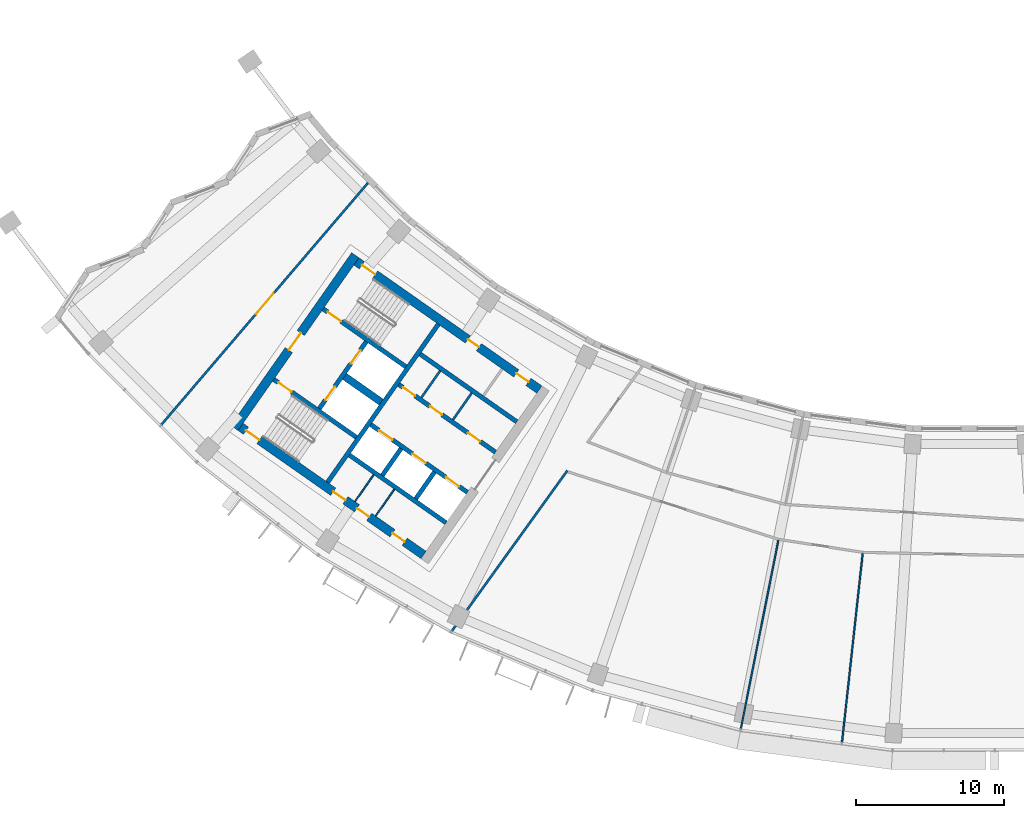
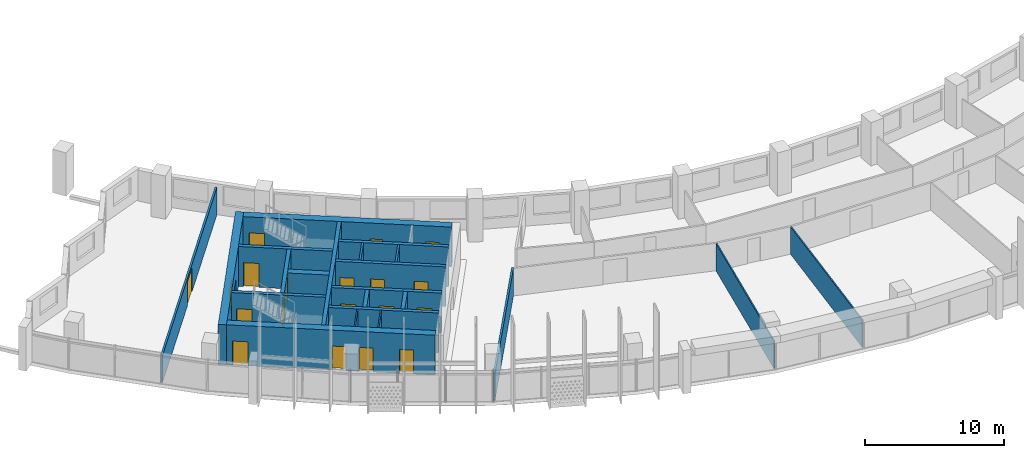
# One storey, part 3 of 27: 22 walls, 19 doors, 19 openings.
"""IFC4 building model written with IfcOpenShell, lengths in metres."""

from ifc_helpers import new_model, si_unit, direction, frame, frame_2d, origin, place, context, subcontext, project, spatial, rectangle, extrude, material, layer, layer_set, type_object, element, fill, save


model = new_model("IFC4")

# Units and contexts
model_context = context("Model", 3, precision=1e-05, world=origin(), true_north=direction((0.0, 1.0)))
body_context = subcontext(model_context, "Body", "Model", "MODEL_VIEW")
ifc_project = project(units=[si_unit("LENGTHUNIT", "METRE"), si_unit("AREAUNIT", "SQUARE_METRE"), si_unit("VOLUMEUNIT", "CUBIC_METRE"), si_unit("PLANEANGLEUNIT", "RADIAN"), si_unit("MASSUNIT", "GRAM", prefix="KILO")], contexts=[model_context])

# Site, building, storey
site_placement = place(None, origin())
site = spatial("IfcSite", under=ifc_project, at=site_placement, CompositionType="ELEMENT")
building_placement = place(site_placement, origin())
building = spatial("IfcBuilding", under=site, at=building_placement, Name="Qamariyya Broadcast Tower", CompositionType="ELEMENT")
storey_placement = place(building_placement, frame((0.0, 0.0, 187.300048828125)))
storey = spatial("IfcBuildingStorey", under=building, at=storey_placement, Name="L44", CompositionType="ELEMENT", Elevation=187.300048828125)

# Wall, opening, door
ifc_material_1 = material(Name="Concrete C60/75", Category="concrete")
ifc_layer_1 = layer(ifc_material_1, 0.60009765625)
ifc_layer_set_1 = layer_set([ifc_layer_1], Name="Core wall 600 mm Concrete C60/75")
wall_type_1 = type_object("IfcWallType", Name="Core wall 600 mm Concrete C60/75", PredefinedType="SHEAR", material=ifc_layer_set_1)
wall_1_placement = place(storey_placement, frame((-49.4833984375, -57.031494140625, 0.0), z_axis=(0.0, 0.0, 1.0), x_axis=(0.573560421458, 0.819163257805, 0.0)))
wall_1 = element("IfcWall", 1, at=wall_1_placement, inside=storey, type_object=wall_type_1, Name="k-W-L44-WH", PredefinedType="SHEAR", context=body_context, shape_type="SweptSolid", body=[
    extrude(rectangle(XDim=14.199951171875, YDim=0.60009765625, at=frame_2d((7.10009765625, 0.0))), origin(), (0.0, 0.0, 1.0), 3.5),
])
opening_1_placement = place(wall_1_placement, frame((6.39990234375, 0.0, 0.0)))
opening_1 = element("IfcOpeningElement", 2, at=opening_1_placement, cuts=wall_1, Name="Opening KD2-W1", PredefinedType="OPENING", context=body_context, shape_type="SweptSolid", body=[
    extrude(rectangle(XDim=1.39990234375, YDim=2.10009765625, at=frame_2d((0.699951171875, 1.050048828125))), frame((0.0, 0.31005859375, 0.0), z_axis=(0.0, -1.0, 0.0), x_axis=(1.0, 0.0, 0.0)), (0.0, 0.0, 1.0), 0.6201171875),
])
ifc_material_2 = material(Name="Steel fire-resisting door leaf", Category="steel")
door_type_1 = type_object("IfcDoorType", Name="Fire-fighting lobby door KD2", OperationType="DOUBLE_DOOR_SINGLE_SWING", PredefinedType="DOOR", material=ifc_material_2)
door_1_placement = place(opening_1_placement, origin())
door_1 = element("IfcDoor", 3, at=door_1_placement, inside=storey, type_object=door_type_1, Name="k-W-L44-WH-D15", OperationType="DOUBLE_DOOR_SINGLE_SWING", OverallHeight=2.10009765625, OverallWidth=1.39990234375, PredefinedType="DOOR", context=body_context, shape_type="SweptSolid", body=[
    extrude(rectangle(XDim=1.39990234375, YDim=2.10009765625, at=frame_2d((0.699951171875, 1.050048828125))), frame((0.0, 0.02490234375, 0.0), z_axis=(0.0, -1.0, 0.0), x_axis=(1.0, 0.0, 0.0)), (0.0, 0.0, 1.0), 0.050048828125),
])
fill(opening_1, door_1)

# Wall, openings, doors
wall_2_placement = place(storey_placement, frame((-28.940673828125, -54.447021484375, 0.0), z_axis=(0.0, 0.0, 1.0), x_axis=(-0.819153391756, 0.573574511963, 0.0)))
wall_2 = element("IfcWall", 4, at=wall_2_placement, inside=storey, type_object=wall_type_1, Name="k-W-L44-WI", PredefinedType="SHEAR", context=body_context, shape_type="SweptSolid", body=[
    extrude(rectangle(XDim=15.04541015625, YDim=0.60009765625, at=frame_2d((7.522705078125, 0.0))), origin(), (0.0, 0.0, 1.0), 3.5),
])
opening_2_placement = place(wall_2_placement, frame((0.89990234375, 0.0, 0.0)))
opening_2 = element("IfcOpeningElement", 5, at=opening_2_placement, cuts=wall_2, Name="Opening KD7-W1", PredefinedType="OPENING", context=body_context, shape_type="SweptSolid", body=[
    extrude(rectangle(XDim=1.0, YDim=2.10009765625, at=frame_2d((0.5, 1.050048828125))), frame((0.0, 0.31005859375, 0.0), z_axis=(0.0, -1.0, 0.0), x_axis=(1.0, 0.0, 0.0)), (0.0, 0.0, 1.0), 0.6201171875),
])
opening_3_placement = place(wall_2_placement, frame((4.97509765625, 0.0, 0.0)))
opening_3 = element("IfcOpeningElement", 6, at=opening_3_placement, cuts=wall_2, Name="Opening KD5-W1", PredefinedType="OPENING", context=body_context, shape_type="SweptSolid", body=[
    extrude(rectangle(XDim=0.89990234375, YDim=2.10009765625, at=frame_2d((0.449951171875, 1.050048828125))), frame((0.0, 0.31005859375, 0.0), z_axis=(0.0, -1.0, 0.0), x_axis=(1.0, 0.0, 0.0)), (0.0, 0.0, 1.0), 0.6201171875),
])
opening_4_placement = place(wall_2_placement, frame((13.495361328125, 0.0, 0.0)))
opening_4 = element("IfcOpeningElement", 7, at=opening_4_placement, cuts=wall_2, Name="Opening KD1-W1", PredefinedType="OPENING", context=body_context, shape_type="SweptSolid", body=[
    extrude(rectangle(XDim=1.10009765625, YDim=2.10009765625, at=frame_2d((0.550048828125, 1.050048828125))), frame((0.0, 0.31005859375, 0.0), z_axis=(0.0, -1.0, 0.0), x_axis=(1.0, 0.0, 0.0)), (0.0, 0.0, 1.0), 0.6201171875),
])
door_type_2 = type_object("IfcDoorType", Name="Accessible toilet door KD7", OperationType="SINGLE_SWING_LEFT", PredefinedType="DOOR", material=ifc_material_2)
door_2_placement = place(opening_2_placement, origin())
door_2 = element("IfcDoor", 8, at=door_2_placement, inside=storey, type_object=door_type_2, Name="k-W-L44-WI-D8", OperationType="SINGLE_SWING_LEFT", OverallHeight=2.10009765625, OverallWidth=1.0, PredefinedType="DOOR", context=body_context, shape_type="SweptSolid", body=[
    extrude(rectangle(XDim=1.0, YDim=2.10009765625, at=frame_2d((0.5, 1.050048828125))), frame((0.0, 0.02490234375, 0.0), z_axis=(0.0, -1.0, 0.0), x_axis=(1.0, 0.0, 0.0)), (0.0, 0.0, 1.0), 0.050048828125),
])
fill(opening_2, door_2)
door_type_3 = type_object("IfcDoorType", Name="Stair door KD1", OperationType="SINGLE_SWING_LEFT", PredefinedType="DOOR", material=ifc_material_2)
door_3_placement = place(opening_4_placement, origin())
door_3 = element("IfcDoor", 9, at=door_3_placement, inside=storey, type_object=door_type_3, Name="k-W-L44-WI-D16", OperationType="SINGLE_SWING_RIGHT", OverallHeight=2.10009765625, OverallWidth=1.10009765625, PredefinedType="DOOR", context=body_context, shape_type="SweptSolid", body=[
    extrude(rectangle(XDim=1.10009765625, YDim=2.10009765625, at=frame_2d((0.550048828125, 1.050048828125))), frame((0.0, 0.02490234375, 0.0), z_axis=(0.0, -1.0, 0.0), x_axis=(1.0, 0.0, 0.0)), (0.0, 0.0, 1.0), 0.050048828125),
])
fill(opening_4, door_3)
door_type_4 = type_object("IfcDoorType", Name="Toilet door KD5", OperationType="SINGLE_SWING_LEFT", PredefinedType="DOOR", material=ifc_material_2)
door_4_placement = place(opening_3_placement, origin())
door_4 = element("IfcDoor", 10, at=door_4_placement, inside=storey, type_object=door_type_4, Name="k-W-L44-WI-D9", OperationType="SINGLE_SWING_RIGHT", OverallHeight=2.10009765625, OverallWidth=0.89990234375, PredefinedType="DOOR", context=body_context, shape_type="SweptSolid", body=[
    extrude(rectangle(XDim=0.89990234375, YDim=2.10009765625, at=frame_2d((0.449951171875, 1.050048828125))), frame((0.0, 0.02490234375, 0.0), z_axis=(0.0, -1.0, 0.0), x_axis=(1.0, 0.0, 0.0)), (0.0, 0.0, 1.0), 0.050048828125),
])
fill(opening_3, door_4)

wall_3_placement = place(storey_placement, frame((-36.7412109375, -65.58740234375, 0.0), z_axis=(0.0, 0.0, 1.0), x_axis=(-0.819153391756, 0.573574511963, 0.0)))
wall_3 = element("IfcWall", 11, at=wall_3_placement, inside=storey, type_object=wall_type_1, Name="k-W-L44-WO", PredefinedType="SHEAR", context=body_context, shape_type="SweptSolid", body=[
    extrude(rectangle(XDim=15.04541015625, YDim=0.60009765625, at=frame_2d((7.522705078125, 0.0))), origin(), (0.0, 0.0, 1.0), 3.5),
])
opening_5_placement = place(wall_3_placement, frame((1.550048828125, 0.0, 0.0)))
opening_5 = element("IfcOpeningElement", 12, at=opening_5_placement, cuts=wall_3, Name="Opening KD4-W2", PredefinedType="OPENING", context=body_context, shape_type="SweptSolid", body=[
    extrude(rectangle(XDim=1.0, YDim=2.10009765625, at=frame_2d((0.5, 1.050048828125))), frame((0.0, 0.31005859375, 0.0), z_axis=(0.0, -1.0, 0.0), x_axis=(1.0, 0.0, 0.0)), (0.0, 0.0, 1.0), 0.6201171875),
])
opening_6_placement = place(wall_3_placement, frame((4.47509765625, 0.0, 0.0)))
opening_6 = element("IfcOpeningElement", 13, at=opening_6_placement, cuts=wall_3, Name="Opening KD4-W3", PredefinedType="OPENING", context=body_context, shape_type="SweptSolid", body=[
    extrude(rectangle(XDim=1.0, YDim=2.10009765625, at=frame_2d((0.5, 1.050048828125))), frame((0.0, 0.31005859375, 0.0), z_axis=(0.0, -1.0, 0.0), x_axis=(1.0, 0.0, 0.0)), (0.0, 0.0, 1.0), 0.6201171875),
])
opening_7_placement = place(wall_3_placement, frame((6.425048828125, 0.0, 0.0)))
opening_7 = element("IfcOpeningElement", 14, at=opening_7_placement, cuts=wall_3, Name="Opening KD4-W4", PredefinedType="OPENING", context=body_context, shape_type="SweptSolid", body=[
    extrude(rectangle(XDim=1.0, YDim=2.10009765625, at=frame_2d((0.5, 1.050048828125))), frame((0.0, 0.31005859375, 0.0), z_axis=(0.0, -1.0, 0.0), x_axis=(1.0, 0.0, 0.0)), (0.0, 0.0, 1.0), 0.6201171875),
])
opening_8_placement = place(wall_3_placement, frame((13.495361328125, 0.0, 0.0)))
opening_8 = element("IfcOpeningElement", 15, at=opening_8_placement, cuts=wall_3, Name="Opening KD1-W3", PredefinedType="OPENING", context=body_context, shape_type="SweptSolid", body=[
    extrude(rectangle(XDim=1.10009765625, YDim=2.10009765625, at=frame_2d((0.550048828125, 1.050048828125))), frame((0.0, 0.31005859375, 0.0), z_axis=(0.0, -1.0, 0.0), x_axis=(1.0, 0.0, 0.0)), (0.0, 0.0, 1.0), 0.6201171875),
])
door_type_5 = type_object("IfcDoorType", Name="Riser and plant door KD4", OperationType="SINGLE_SWING_LEFT", PredefinedType="DOOR", material=ifc_material_2)
door_5_placement = place(opening_5_placement, origin())
door_5 = element("IfcDoor", 16, at=door_5_placement, inside=storey, type_object=door_type_5, Name="k-W-L44-WO-D10", OperationType="SINGLE_SWING_LEFT", OverallHeight=2.10009765625, OverallWidth=1.0, PredefinedType="DOOR", context=body_context, shape_type="SweptSolid", body=[
    extrude(rectangle(XDim=1.0, YDim=2.10009765625, at=frame_2d((0.5, 1.050048828125))), frame((0.0, 0.02490234375, 0.0), z_axis=(0.0, -1.0, 0.0), x_axis=(1.0, 0.0, 0.0)), (0.0, 0.0, 1.0), 0.050048828125),
])
fill(opening_5, door_5)
door_6_placement = place(opening_6_placement, origin())
door_6 = element("IfcDoor", 17, at=door_6_placement, inside=storey, type_object=door_type_5, Name="k-W-L44-WO-D11", OperationType="SINGLE_SWING_RIGHT", OverallHeight=2.10009765625, OverallWidth=1.0, PredefinedType="DOOR", context=body_context, shape_type="SweptSolid", body=[
    extrude(rectangle(XDim=1.0, YDim=2.10009765625, at=frame_2d((0.5, 1.050048828125))), frame((0.0, 0.02490234375, 0.0), z_axis=(0.0, -1.0, 0.0), x_axis=(1.0, 0.0, 0.0)), (0.0, 0.0, 1.0), 0.050048828125),
])
fill(opening_6, door_6)
door_7_placement = place(opening_7_placement, origin())
door_7 = element("IfcDoor", 18, at=door_7_placement, inside=storey, type_object=door_type_5, Name="k-W-L44-WO-D12", OperationType="SINGLE_SWING_LEFT", OverallHeight=2.10009765625, OverallWidth=1.0, PredefinedType="DOOR", context=body_context, shape_type="SweptSolid", body=[
    extrude(rectangle(XDim=1.0, YDim=2.10009765625, at=frame_2d((0.5, 1.050048828125))), frame((0.0, 0.02490234375, 0.0), z_axis=(0.0, -1.0, 0.0), x_axis=(1.0, 0.0, 0.0)), (0.0, 0.0, 1.0), 0.050048828125),
])
fill(opening_7, door_7)
door_8_placement = place(opening_8_placement, origin())
door_8 = element("IfcDoor", 19, at=door_8_placement, inside=storey, type_object=door_type_3, Name="k-W-L44-WO-D18", OperationType="SINGLE_SWING_LEFT", OverallHeight=2.10009765625, OverallWidth=1.10009765625, PredefinedType="DOOR", context=body_context, shape_type="SweptSolid", body=[
    extrude(rectangle(XDim=1.10009765625, YDim=2.10009765625, at=frame_2d((0.550048828125, 1.050048828125))), frame((0.0, 0.02490234375, 0.0), z_axis=(0.0, -1.0, 0.0), x_axis=(1.0, 0.0, 0.0)), (0.0, 0.0, 1.0), 0.050048828125),
])
fill(opening_8, door_8)

# Wall, opening, door
ifc_material_3 = material(Name="Gypsum board partition")
ifc_layer_2 = layer(ifc_material_3, 0.14990234375)
ifc_layer_set_2 = layer_set([ifc_layer_2], Name="Corridor partition 150 EI 60")
wall_type_2 = type_object("IfcWallType", Name="Corridor partition 150 EI 60", PredefinedType="PARTITIONING", material=ifc_layer_set_2)
wall_4_placement = place(storey_placement, frame((-54.39404296875, -56.8076171875, 0.0), z_axis=(0.0, 0.0, 1.0), x_axis=(0.649633284071, 0.760247720303, 0.0)))
wall_4 = element("IfcWall", 20, at=wall_4_placement, inside=storey, type_object=wall_type_2, Name="Partition L44-001", PredefinedType="PARTITIONING", context=body_context, shape_type="SweptSolid", body=[
    extrude(rectangle(XDim=21.420166015625, YDim=0.14990234375, at=frame_2d((10.7099609375, 0.0))), origin(), (0.0, 0.0, 1.0), 2.39990234375),
])
opening_9_placement = place(wall_4_placement, frame((9.81005859375, 0.0, 0.0)))
opening_9 = element("IfcOpeningElement", 21, at=opening_9_placement, cuts=wall_4, Name="Opening L44-D11", PredefinedType="OPENING", context=body_context, shape_type="SweptSolid", body=[
    extrude(rectangle(XDim=1.800048828125, YDim=2.10009765625, at=frame_2d((0.89990234375, 1.050048828125))), frame((0.0, 0.0849609375, 0.0), z_axis=(0.0, -1.0, 0.0), x_axis=(1.0, 0.0, 0.0)), (0.0, 0.0, 1.0), 0.169921875),
])
ifc_material_4 = material(Name="Timber fire door leaf", Category="wood")
door_type_6 = type_object("IfcDoorType", Name="Double fire door 1800 x 2100 FD60", OperationType="NOTDEFINED", PredefinedType="DOOR", material=ifc_material_4)
door_9_placement = place(opening_9_placement, origin())
door_9 = element("IfcDoor", 22, at=door_9_placement, inside=storey, type_object=door_type_6, Name="Door L44-D11", OperationType="DOUBLE_DOOR_SINGLE_SWING", OverallHeight=2.10009765625, OverallWidth=1.800048828125, PredefinedType="DOOR", context=body_context, shape_type="SweptSolid", body=[
    extrude(rectangle(XDim=1.800048828125, YDim=2.10009765625, at=frame_2d((0.89990234375, 1.050048828125))), frame((0.0, 0.02490234375, 0.0), z_axis=(0.0, -1.0, 0.0), x_axis=(1.0, 0.0, 0.0)), (0.0, 0.0, 1.0), 0.050048828125),
])
fill(opening_9, door_9)

# Walls
wall_5_placement = place(storey_placement, frame((-27.056884765625, -59.899169921875, 0.0), z_axis=(0.0, 0.0, 1.0), x_axis=(-0.584166374063, -0.81163393683, 0.0)))
element("IfcWall", 23, at=wall_5_placement, inside=storey, type_object=wall_type_2, Name="Partition L44-002", PredefinedType="PARTITIONING", context=body_context, shape_type="SweptSolid", body=[
    extrude(rectangle(XDim=13.296142578125, YDim=0.14990234375, at=frame_2d((6.64794921875, 0.0))), origin(), (0.0, 0.0, 1.0), 2.39990234375),
])
ifc_layer_3 = layer(ifc_material_1, 0.5)
ifc_layer_set_3 = layer_set([ifc_layer_3], Name="Fire-fighting lobby divider wall 500 mm Concrete C60/75")
wall_type_3 = type_object("IfcWallType", Name="Fire-fighting lobby divider wall 500 mm Concrete C60/75", PredefinedType="SOLIDWALL", material=ifc_layer_set_3)
wall_6_placement = place(storey_placement, frame((-39.59912109375, -55.28515625, 0.0), z_axis=(0.0, 0.0, 1.0), x_axis=(-0.819136323161, 0.573598887793, 0.0)))
element("IfcWall", 24, at=wall_6_placement, inside=storey, type_object=wall_type_3, Name="k-W-L44-FD", PredefinedType="SOLIDWALL", context=body_context, shape_type="SweptSolid", body=[
    extrude(rectangle(XDim=2.999755859375, YDim=0.5, at=frame_2d((1.5, 0.0))), origin(), (0.0, 0.0, 1.0), 3.5),
])
ifc_material_5 = material(Name="Gypsum board partition on steel studs", Category="steel")
ifc_layer_4 = layer(ifc_material_5, 0.14990234375)
ifc_layer_set_4 = layer_set([ifc_layer_4], Name="Gypsum board partition 150 mm")
wall_type_4 = type_object("IfcWallType", Name="Gypsum board partition 150 mm", PredefinedType="PARTITIONING", material=ifc_layer_set_4)
for number, where, z_axis, x_axis, name in (
    (25, (-34.757568359375, -56.477783203125, 0.0), (0.0, 0.0, 1.0), (0.573633636671, 0.819111989218, 0.0), "k-W-L44-NC360"),
    (26, (-36.88720703125, -54.986572265625, 0.0), (0.0, 0.0, 1.0), (0.573507030513, 0.819200638399, 0.0), "k-W-L44-NC620"),
):
    element("IfcWall", number, at=place(storey_placement, frame(where, z_axis=z_axis, x_axis=x_axis)), inside=storey, type_object=wall_type_4, Name=name, PredefinedType="PARTITIONING", context=body_context, shape_type="SweptSolid", body=[
        extrude(rectangle(XDim=2.199951171875, YDim=0.14990234375, at=frame_2d((1.10009765625, 0.0))), origin(), (0.0, 0.0, 1.0), 3.5),
    ])
ifc_layer_5 = layer(ifc_material_1, 0.300048828125)
ifc_layer_set_5 = layer_set([ifc_layer_5], Name="Lift shaft wall 300 mm Concrete C60/75")
wall_type_5 = type_object("IfcWallType", Name="Lift shaft wall 300 mm Concrete C60/75", PredefinedType="SOLIDWALL", material=ifc_layer_set_5)
wall_7_placement = place(storey_placement, frame((-43.204345703125, -60.69580078125, 0.0), z_axis=(0.0, 0.0, 1.0), x_axis=(0.573571992966, 0.819155155563, 0.0)))
element("IfcWall", 27, at=wall_7_placement, inside=storey, type_object=wall_type_5, Name="k-W-L44-WL", PredefinedType="SOLIDWALL", context=body_context, shape_type="SweptSolid", body=[
    extrude(rectangle(XDim=13.000244140625, YDim=0.300048828125, at=frame_2d((6.5, 0.0))), origin(), (0.0, 0.0, 1.0), 3.5),
])

# Wall, openings, doors
wall_8_placement = place(storey_placement, frame((-31.89453125, -58.66552734375, 0.0), z_axis=(0.0, 0.0, 1.0), x_axis=(-0.819166993208, 0.573555086491, 0.0)))
wall_8 = element("IfcWall", 28, at=wall_8_placement, inside=storey, type_object=wall_type_5, Name="k-W-L44-NF0", PredefinedType="SOLIDWALL", context=body_context, shape_type="SweptSolid", body=[
    extrude(rectangle(XDim=7.9501953125, YDim=0.300048828125, at=frame_2d((3.97509765625, 0.0))), origin(), (0.0, 0.0, 1.0), 3.5),
])
opening_10_placement = place(wall_8_placement, frame((1.262451171875, 0.0, 0.0)))
opening_10 = element("IfcOpeningElement", 29, at=opening_10_placement, cuts=wall_8, Name="Opening KD4-W1", PredefinedType="OPENING", context=body_context, shape_type="SweptSolid", body=[
    extrude(rectangle(XDim=1.0, YDim=2.10009765625, at=frame_2d((0.5, 1.050048828125))), frame((0.0, 0.159912109375, 0.0), z_axis=(0.0, -1.0, 0.0), x_axis=(1.0, 0.0, 0.0)), (0.0, 0.0, 1.0), 0.320068359375),
])
opening_11_placement = place(wall_8_placement, frame((4.39990234375, 0.0, 0.0)))
opening_11 = element("IfcOpeningElement", 30, at=opening_11_placement, cuts=wall_8, Name="Opening KD6-W1", PredefinedType="OPENING", context=body_context, shape_type="SweptSolid", body=[
    extrude(rectangle(XDim=1.0, YDim=2.10009765625, at=frame_2d((0.5, 1.050048828125))), frame((0.0, 0.159912109375, 0.0), z_axis=(0.0, -1.0, 0.0), x_axis=(1.0, 0.0, 0.0)), (0.0, 0.0, 1.0), 0.320068359375),
])
opening_12_placement = place(wall_8_placement, frame((6.612548828125, 0.0, 0.0)))
opening_12 = element("IfcOpeningElement", 31, at=opening_12_placement, cuts=wall_8, Name="Opening KD6-W2", PredefinedType="OPENING", context=body_context, shape_type="SweptSolid", body=[
    extrude(rectangle(XDim=1.0, YDim=2.10009765625, at=frame_2d((0.5, 1.050048828125))), frame((0.0, 0.159912109375, 0.0), z_axis=(0.0, -1.0, 0.0), x_axis=(1.0, 0.0, 0.0)), (0.0, 0.0, 1.0), 0.320068359375),
])
door_type_7 = type_object("IfcDoorType", Name="Core room door KD6", OperationType="SINGLE_SWING_LEFT", PredefinedType="DOOR", material=ifc_material_2)
door_10_placement = place(opening_11_placement, origin())
door_10 = element("IfcDoor", 32, at=door_10_placement, inside=storey, type_object=door_type_7, Name="k-W-L44-NF0-D3", OperationType="SINGLE_SWING_RIGHT", OverallHeight=2.10009765625, OverallWidth=1.0, PredefinedType="DOOR", context=body_context, shape_type="SweptSolid", body=[
    extrude(rectangle(XDim=1.0, YDim=2.10009765625, at=frame_2d((0.5, 1.050048828125))), frame((0.0, 0.02490234375, 0.0), z_axis=(0.0, -1.0, 0.0), x_axis=(1.0, 0.0, 0.0)), (0.0, 0.0, 1.0), 0.050048828125),
])
fill(opening_11, door_10)
door_11_placement = place(opening_12_placement, origin())
door_11 = element("IfcDoor", 33, at=door_11_placement, inside=storey, type_object=door_type_7, Name="k-W-L44-NF0-D4", OperationType="SINGLE_SWING_LEFT", OverallHeight=2.10009765625, OverallWidth=1.0, PredefinedType="DOOR", context=body_context, shape_type="SweptSolid", body=[
    extrude(rectangle(XDim=1.0, YDim=2.10009765625, at=frame_2d((0.5, 1.050048828125))), frame((0.0, 0.02490234375, 0.0), z_axis=(0.0, -1.0, 0.0), x_axis=(1.0, 0.0, 0.0)), (0.0, 0.0, 1.0), 0.050048828125),
])
fill(opening_12, door_11)
door_12_placement = place(opening_10_placement, origin())
door_12 = element("IfcDoor", 34, at=door_12_placement, inside=storey, type_object=door_type_5, Name="k-W-L44-NF0-D2", OperationType="SINGLE_SWING_LEFT", OverallHeight=2.10009765625, OverallWidth=1.0, PredefinedType="DOOR", context=body_context, shape_type="SweptSolid", body=[
    extrude(rectangle(XDim=1.0, YDim=2.10009765625, at=frame_2d((0.5, 1.050048828125))), frame((0.0, 0.02490234375, 0.0), z_axis=(0.0, -1.0, 0.0), x_axis=(1.0, 0.0, 0.0)), (0.0, 0.0, 1.0), 0.050048828125),
])
fill(opening_10, door_12)

# Wall
wall_9_placement = place(storey_placement, frame((-30.460693359375, -56.61767578125, 0.0), z_axis=(0.0, 0.0, 1.0), x_axis=(-0.819142461705, 0.573590121456, 0.0)))
element("IfcWall", 35, at=wall_9_placement, inside=storey, type_object=wall_type_5, Name="k-W-L44-NB0", PredefinedType="SOLIDWALL", context=body_context, shape_type="SweptSolid", body=[
    extrude(rectangle(XDim=7.949951171875, YDim=0.300048828125, at=frame_2d((3.97509765625, 0.0))), origin(), (0.0, 0.0, 1.0), 3.5),
])

# Wall, openings, doors
wall_10_placement = place(storey_placement, frame((-33.787353515625, -61.368896484375, 0.0), z_axis=(0.0, 0.0, 1.0), x_axis=(-0.819152564888, 0.573575692858, 0.0)))
wall_10 = element("IfcWall", 36, at=wall_10_placement, inside=storey, type_object=wall_type_5, Name="k-W-L44-SF0", PredefinedType="SOLIDWALL", context=body_context, shape_type="SweptSolid", body=[
    extrude(rectangle(XDim=7.9501953125, YDim=0.300048828125, at=frame_2d((3.97509765625, 0.0))), origin(), (0.0, 0.0, 1.0), 3.5),
])
opening_13_placement = place(wall_10_placement, frame((0.675048828125, 0.0, 0.0)))
opening_13 = element("IfcOpeningElement", 37, at=opening_13_placement, cuts=wall_10, Name="Opening LD", PredefinedType="OPENING", context=body_context, shape_type="SweptSolid", body=[
    extrude(rectangle(XDim=1.10009765625, YDim=2.10009765625, at=frame_2d((0.550048828125, 1.050048828125))), frame((0.0, 0.159912109375, 0.0), z_axis=(0.0, -1.0, 0.0), x_axis=(1.0, 0.0, 0.0)), (0.0, 0.0, 1.0), 0.320068359375),
])
opening_14_placement = place(wall_10_placement, frame((3.425048828125, 0.0, 0.0)))
opening_14 = element("IfcOpeningElement", 38, at=opening_14_placement, cuts=wall_10, Name="Opening LD", PredefinedType="OPENING", context=body_context, shape_type="SweptSolid", body=[
    extrude(rectangle(XDim=1.10009765625, YDim=2.10009765625, at=frame_2d((0.550048828125, 1.050048828125))), frame((0.0, 0.159912109375, 0.0), z_axis=(0.0, -1.0, 0.0), x_axis=(1.0, 0.0, 0.0)), (0.0, 0.0, 1.0), 0.320068359375),
])
opening_15_placement = place(wall_10_placement, frame((6.175048828125, 0.0, 0.0)))
opening_15 = element("IfcOpeningElement", 39, at=opening_15_placement, cuts=wall_10, Name="Opening LD", PredefinedType="OPENING", context=body_context, shape_type="SweptSolid", body=[
    extrude(rectangle(XDim=1.10009765625, YDim=2.10009765625, at=frame_2d((0.550048828125, 1.050048828125))), frame((0.0, 0.159912109375, 0.0), z_axis=(0.0, -1.0, 0.0), x_axis=(1.0, 0.0, 0.0)), (0.0, 0.0, 1.0), 0.320068359375),
])
door_type_8 = type_object("IfcDoorType", Name="Lift landing door LD", OperationType="DOUBLE_DOOR_SLIDING", PredefinedType="DOOR", material=ifc_material_2)
door_13_placement = place(opening_13_placement, origin())
door_13 = element("IfcDoor", 40, at=door_13_placement, inside=storey, type_object=door_type_8, Name="k-W-L44-SF0-D5", OperationType="DOUBLE_DOOR_SLIDING", OverallHeight=2.10009765625, OverallWidth=1.10009765625, PredefinedType="DOOR", context=body_context, shape_type="SweptSolid", body=[
    extrude(rectangle(XDim=1.10009765625, YDim=2.10009765625, at=frame_2d((0.550048828125, 1.050048828125))), frame((0.0, 0.02490234375, 0.0), z_axis=(0.0, -1.0, 0.0), x_axis=(1.0, 0.0, 0.0)), (0.0, 0.0, 1.0), 0.050048828125),
])
fill(opening_13, door_13)
door_14_placement = place(opening_14_placement, origin())
door_14 = element("IfcDoor", 41, at=door_14_placement, inside=storey, type_object=door_type_8, Name="k-W-L44-SF0-D6", OperationType="DOUBLE_DOOR_SLIDING", OverallHeight=2.10009765625, OverallWidth=1.10009765625, PredefinedType="DOOR", context=body_context, shape_type="SweptSolid", body=[
    extrude(rectangle(XDim=1.10009765625, YDim=2.10009765625, at=frame_2d((0.550048828125, 1.050048828125))), frame((0.0, 0.02490234375, 0.0), z_axis=(0.0, -1.0, 0.0), x_axis=(1.0, 0.0, 0.0)), (0.0, 0.0, 1.0), 0.050048828125),
])
fill(opening_14, door_14)
door_15_placement = place(opening_15_placement, origin())
door_15 = element("IfcDoor", 42, at=door_15_placement, inside=storey, type_object=door_type_8, Name="k-W-L44-SF0-D7", OperationType="DOUBLE_DOOR_SLIDING", OverallHeight=2.10009765625, OverallWidth=1.10009765625, PredefinedType="DOOR", context=body_context, shape_type="SweptSolid", body=[
    extrude(rectangle(XDim=1.10009765625, YDim=2.10009765625, at=frame_2d((0.550048828125, 1.050048828125))), frame((0.0, 0.02490234375, 0.0), z_axis=(0.0, -1.0, 0.0), x_axis=(1.0, 0.0, 0.0)), (0.0, 0.0, 1.0), 0.050048828125),
])
fill(opening_15, door_15)

# Walls
wall_11_placement = place(storey_placement, frame((-35.22119140625, -63.41650390625, 0.0), z_axis=(0.0, 0.0, 1.0), x_axis=(-0.819166993208, 0.573555086491, 0.0)))
element("IfcWall", 43, at=wall_11_placement, inside=storey, type_object=wall_type_5, Name="k-W-L44-SB0", PredefinedType="SOLIDWALL", context=body_context, shape_type="SweptSolid", body=[
    extrude(rectangle(XDim=7.9501953125, YDim=0.300048828125, at=frame_2d((3.97509765625, 0.0))), origin(), (0.0, 0.0, 1.0), 3.5),
])
wall_12_placement = place(storey_placement, frame((-36.003173828125, -60.000244140625, 0.0), z_axis=(0.0, 0.0, 1.0), x_axis=(-0.573581496053, -0.819148501424, 0.0)))
element("IfcWall", 44, at=wall_12_placement, inside=storey, type_object=wall_type_5, Name="k-W-L44-SD0", PredefinedType="SOLIDWALL", context=body_context, shape_type="SweptSolid", body=[
    extrude(rectangle(XDim=2.2001953125, YDim=0.300048828125, at=frame_2d((1.10009765625, 0.0))), origin(), (0.0, 0.0, 1.0), 3.5),
])
wall_13_placement = place(storey_placement, frame((-38.255859375, -58.423095703125, 0.0), z_axis=(0.0, 0.0, 1.0), x_axis=(-0.573633636671, -0.819111989218, 0.0)))
element("IfcWall", 45, at=wall_13_placement, inside=storey, type_object=wall_type_5, Name="k-W-L44-SD1", PredefinedType="SOLIDWALL", context=body_context, shape_type="SweptSolid", body=[
    extrude(rectangle(XDim=2.199951171875, YDim=0.300048828125, at=frame_2d((1.10009765625, 0.0))), origin(), (0.0, 0.0, 1.0), 3.5),
])

# Wall, opening, door
wall_14_placement = place(storey_placement, frame((-37.935546875, -52.90966796875, 0.0), z_axis=(0.0, 0.0, 1.0), x_axis=(-0.819147518138, 0.57358290031, 0.0)))
wall_14 = element("IfcWall", 46, at=wall_14_placement, inside=storey, type_object=wall_type_5, Name="k-W-L44-NW", PredefinedType="SOLIDWALL", context=body_context, shape_type="SweptSolid", body=[
    extrude(rectangle(XDim=6.79541015625, YDim=0.300048828125, at=frame_2d((3.397705078125, 0.0))), origin(), (0.0, 0.0, 1.0), 3.5),
])
opening_16_placement = place(wall_14_placement, frame((5.3203125, 0.0, 0.0)))
opening_16 = element("IfcOpeningElement", 47, at=opening_16_placement, cuts=wall_14, Name="Opening KD1-W2", PredefinedType="OPENING", context=body_context, shape_type="SweptSolid", body=[
    extrude(rectangle(XDim=1.10009765625, YDim=2.10009765625, at=frame_2d((0.550048828125, 1.050048828125))), frame((0.0, 0.159912109375, 0.0), z_axis=(0.0, -1.0, 0.0), x_axis=(1.0, 0.0, 0.0)), (0.0, 0.0, 1.0), 0.320068359375),
])
door_16_placement = place(opening_16_placement, origin())
door_16 = element("IfcDoor", 48, at=door_16_placement, inside=storey, type_object=door_type_3, Name="k-W-L44-NW-D17", OperationType="SINGLE_SWING_RIGHT", OverallHeight=2.10009765625, OverallWidth=1.10009765625, PredefinedType="DOOR", context=body_context, shape_type="SweptSolid", body=[
    extrude(rectangle(XDim=1.10009765625, YDim=2.10009765625, at=frame_2d((0.550048828125, 1.050048828125))), frame((0.0, 0.02490234375, 0.0), z_axis=(0.0, -1.0, 0.0), x_axis=(1.0, 0.0, 0.0)), (0.0, 0.0, 1.0), 0.050048828125),
])
fill(opening_16, door_16)

wall_15_placement = place(storey_placement, frame((-41.262451171875, -57.66064453125, 0.0), z_axis=(0.0, 0.0, 1.0), x_axis=(-0.819164398642, 0.573558792102, 0.0)))
wall_15 = element("IfcWall", 49, at=wall_15_placement, inside=storey, type_object=wall_type_5, Name="k-W-L44-SW", PredefinedType="SOLIDWALL", context=body_context, shape_type="SweptSolid", body=[
    extrude(rectangle(XDim=6.795166015625, YDim=0.300048828125, at=frame_2d((3.3974609375, 0.0))), origin(), (0.0, 0.0, 1.0), 3.5),
])
opening_17_placement = place(wall_15_placement, frame((5.3203125, 0.0, 0.0)))
opening_17 = element("IfcOpeningElement", 50, at=opening_17_placement, cuts=wall_15, Name="Opening KD1-W4", PredefinedType="OPENING", context=body_context, shape_type="SweptSolid", body=[
    extrude(rectangle(XDim=1.10009765625, YDim=2.10009765625, at=frame_2d((0.550048828125, 1.050048828125))), frame((0.0, 0.159912109375, 0.0), z_axis=(0.0, -1.0, 0.0), x_axis=(1.0, 0.0, 0.0)), (0.0, 0.0, 1.0), 0.320068359375),
])
door_17_placement = place(opening_17_placement, origin())
door_17 = element("IfcDoor", 51, at=door_17_placement, inside=storey, type_object=door_type_3, Name="k-W-L44-SW-D19", OperationType="SINGLE_SWING_RIGHT", OverallHeight=2.10009765625, OverallWidth=1.10009765625, PredefinedType="DOOR", context=body_context, shape_type="SweptSolid", body=[
    extrude(rectangle(XDim=1.10009765625, YDim=2.10009765625, at=frame_2d((0.550048828125, 1.050048828125))), frame((0.0, 0.02490234375, 0.0), z_axis=(0.0, -1.0, 0.0), x_axis=(1.0, 0.0, 0.0)), (0.0, 0.0, 1.0), 0.050048828125),
])
fill(opening_17, door_17)

# Wall, openings, doors
wall_16_placement = place(storey_placement, frame((-43.756591796875, -55.731201171875, 0.0), z_axis=(0.0, 0.0, 1.0), x_axis=(0.573536818435, 0.819179783625, 0.0)))
wall_16 = element("IfcWall", 52, at=wall_16_placement, inside=storey, type_object=wall_type_5, Name="k-W-L44-FF", PredefinedType="SOLIDWALL", context=body_context, shape_type="SweptSolid", body=[
    extrude(rectangle(XDim=5.500244140625, YDim=0.300048828125, at=frame_2d((2.75, 0.0))), origin(), (0.0, 0.0, 1.0), 3.5),
])
opening_18_placement = place(wall_16_placement, frame((0.699951171875, 0.0, 0.0)))
opening_18 = element("IfcOpeningElement", 53, at=opening_18_placement, cuts=wall_16, Name="Opening LD", PredefinedType="OPENING", context=body_context, shape_type="SweptSolid", body=[
    extrude(rectangle(XDim=1.10009765625, YDim=2.10009765625, at=frame_2d((0.550048828125, 1.050048828125))), frame((0.0, 0.159912109375, 0.0), z_axis=(0.0, -1.0, 0.0), x_axis=(1.0, 0.0, 0.0)), (0.0, 0.0, 1.0), 0.320068359375),
])
opening_19_placement = place(wall_16_placement, frame((3.699951171875, 0.0, 0.0)))
opening_19 = element("IfcOpeningElement", 54, at=opening_19_placement, cuts=wall_16, Name="Opening LD", PredefinedType="OPENING", context=body_context, shape_type="SweptSolid", body=[
    extrude(rectangle(XDim=1.10009765625, YDim=2.10009765625, at=frame_2d((0.550048828125, 1.050048828125))), frame((0.0, 0.159912109375, 0.0), z_axis=(0.0, -1.0, 0.0), x_axis=(1.0, 0.0, 0.0)), (0.0, 0.0, 1.0), 0.320068359375),
])
door_18_placement = place(opening_18_placement, origin())
door_18 = element("IfcDoor", 55, at=door_18_placement, inside=storey, type_object=door_type_8, Name="k-W-L44-FF-D13", OperationType="DOUBLE_DOOR_SLIDING", OverallHeight=2.10009765625, OverallWidth=1.10009765625, PredefinedType="DOOR", context=body_context, shape_type="SweptSolid", body=[
    extrude(rectangle(XDim=1.10009765625, YDim=2.10009765625, at=frame_2d((0.550048828125, 1.050048828125))), frame((0.0, 0.02490234375, 0.0), z_axis=(0.0, -1.0, 0.0), x_axis=(1.0, 0.0, 0.0)), (0.0, 0.0, 1.0), 0.050048828125),
])
fill(opening_18, door_18)
door_19_placement = place(opening_19_placement, origin())
door_19 = element("IfcDoor", 56, at=door_19_placement, inside=storey, type_object=door_type_8, Name="k-W-L44-FF-D14", OperationType="DOUBLE_DOOR_SLIDING", OverallHeight=2.10009765625, OverallWidth=1.10009765625, PredefinedType="DOOR", context=body_context, shape_type="SweptSolid", body=[
    extrude(rectangle(XDim=1.10009765625, YDim=2.10009765625, at=frame_2d((0.550048828125, 1.050048828125))), frame((0.0, 0.02490234375, 0.0), z_axis=(0.0, -1.0, 0.0), x_axis=(1.0, 0.0, 0.0)), (0.0, 0.0, 1.0), 0.050048828125),
])
fill(opening_19, door_19)

# Walls
ifc_layer_6 = layer(ifc_material_3, 0.10009765625)
ifc_layer_set_6 = layer_set([ifc_layer_6], Name="Partition 100")
wall_type_6 = type_object("IfcWallType", Name="Partition 100", PredefinedType="PARTITIONING", material=ifc_layer_set_6)
wall_17_placement = place(storey_placement, frame((-15.373046875, -77.285888671875, 0.0), z_axis=(0.0, 0.0, 1.0), x_axis=(0.195084402894, 0.980786457771, 0.0)))
element("IfcWall", 57, at=wall_17_placement, inside=storey, type_object=wall_type_6, Name="Partition L44-008", PredefinedType="PARTITIONING", context=body_context, shape_type="SweptSolid", body=[
    extrude(rectangle(XDim=12.925048828125, YDim=0.10009765625, at=frame_2d((6.46240234375, 0.0))), origin(), (0.0, 0.0, 1.0), 2.39990234375),
])
wall_18_placement = place(storey_placement, frame((-8.56005859375, -78.182373046875, 0.0), z_axis=(0.0, 0.0, 1.0), x_axis=(0.108839313153, 0.994059356333, 0.0)))
element("IfcWall", 58, at=wall_18_placement, inside=storey, type_object=wall_type_6, Name="Partition L44-012", PredefinedType="PARTITIONING", context=body_context, shape_type="SweptSolid", body=[
    extrude(rectangle(XDim=12.774658203125, YDim=0.10009765625, at=frame_2d((6.38720703125, 0.0))), origin(), (0.0, 0.0, 1.0), 2.39990234375),
])
ifc_material_6 = material(Name="Fire-rated gypsum shaft liner on steel studs", Category="steel")
ifc_layer_7 = layer(ifc_material_6, 0.10009765625)
ifc_layer_set_7 = layer_set([ifc_layer_7], Name="Riser wall 100 mm")
wall_type_7 = type_object("IfcWallType", Name="Riser wall 100 mm", PredefinedType="PLUMBINGWALL", material=ifc_layer_set_7)
for number, where, z_axis, x_axis, name in (
    (59, (-38.706787109375, -61.1591796875, 0.0), (0.0, 0.0, 1.0), (-0.573633636671, -0.819111989218, 0.0), "k-W-L44-SP415"),
    (60, (-40.099365234375, -60.18408203125, 0.0), (0.0, 0.0, 1.0), (-0.573633636671, -0.819111989218, 0.0), "k-W-L44-SP585"),
):
    element("IfcWall", number, at=place(storey_placement, frame(where, z_axis=z_axis, x_axis=x_axis)), inside=storey, type_object=wall_type_7, Name=name, PredefinedType="PLUMBINGWALL", context=body_context, shape_type="SweptSolid", body=[
        extrude(rectangle(XDim=2.199951171875, YDim=0.10009765625, at=frame_2d((1.10009765625, 0.0))), origin(), (0.0, 0.0, 1.0), 3.5),
    ])

save(model, "model.ifc")
